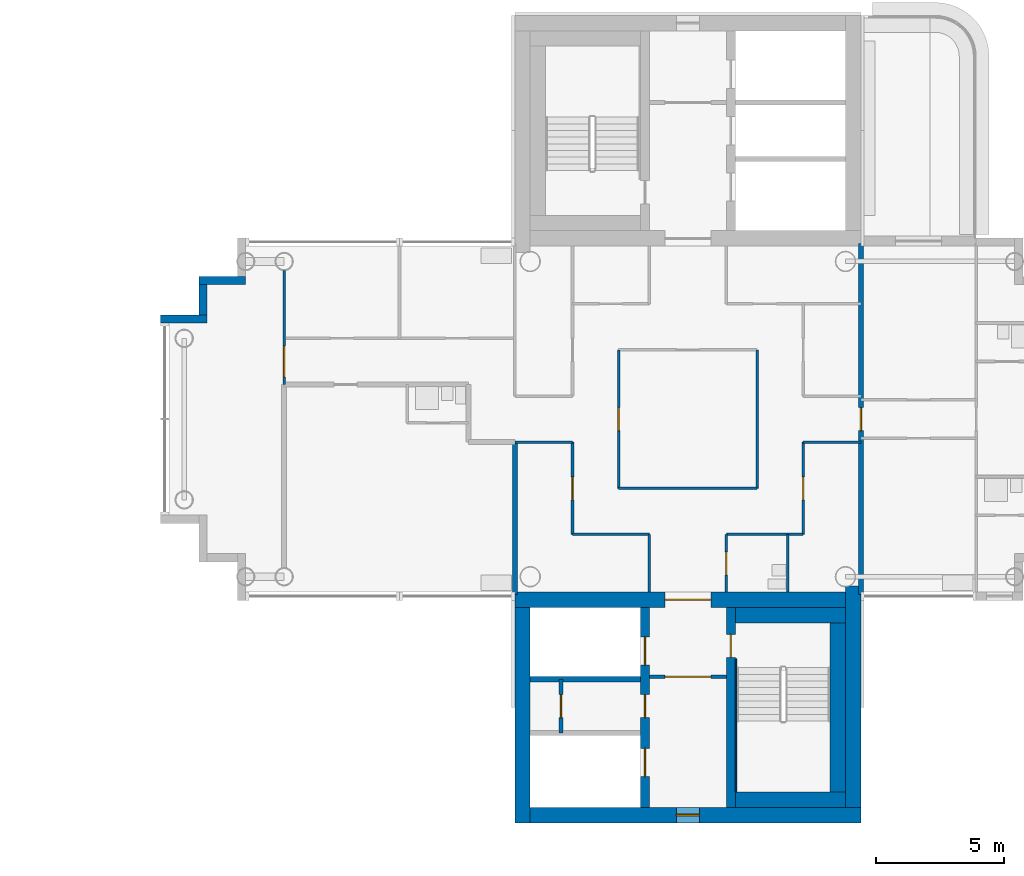
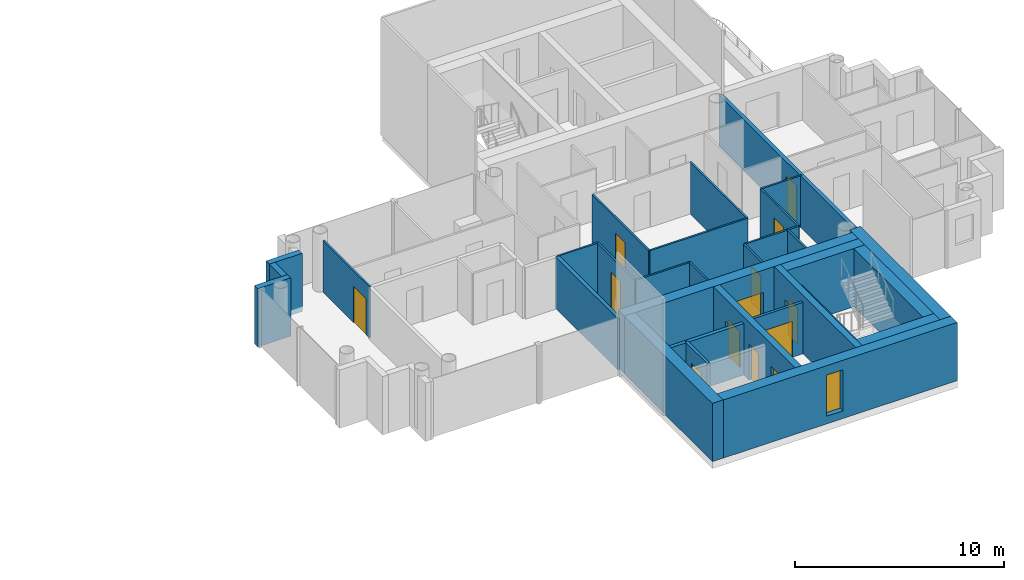
# One storey, part 9 of 18: 31 walls, 13 doors, 1 window, 14 openings.
"""IFC4 building model written with IfcOpenShell, lengths in metres."""

from ifc_helpers import new_model, si_unit, direction, frame, frame_2d, origin, place, context, subcontext, project, spatial, rectangle, extrude, material, layer, layer_set, type_object, element, fill, save


model = new_model("IFC4")

# Units and contexts
model_context = context("Model", 3, precision=1e-05, world=origin(), true_north=direction((0.0, 1.0)))
body_context = subcontext(model_context, "Body", "Model", "MODEL_VIEW")
ifc_project = project(units=[si_unit("LENGTHUNIT", "METRE"), si_unit("AREAUNIT", "SQUARE_METRE"), si_unit("VOLUMEUNIT", "CUBIC_METRE"), si_unit("PLANEANGLEUNIT", "RADIAN"), si_unit("MASSUNIT", "GRAM", prefix="KILO")], contexts=[model_context])

# Site, building, storey
site_placement = place(None, origin())
site = spatial("IfcSite", under=ifc_project, at=site_placement, CompositionType="ELEMENT")
building_placement = place(site_placement, origin())
building = spatial("IfcBuilding", under=site, at=building_placement, Name="Ipe Terrace Towers", CompositionType="ELEMENT")
storey_placement = place(building_placement, frame((0.0, 0.0, 192.60009765625)))
storey = spatial("IfcBuildingStorey", under=building, at=storey_placement, Name="L53", CompositionType="ELEMENT", Elevation=192.60009765625)

# Walls
ifc_material_1 = material(Name="Concrete C40/50 with buff precast cladding", Category="concrete")
ifc_layer_1 = layer(ifc_material_1, 0.320068359375)
ifc_layer_set_1 = layer_set([ifc_layer_1], Name="BUFF CLADDING WALL 320")
wall_type_1 = type_object("IfcWallType", Name="BUFF CLADDING WALL 320", PredefinedType="STANDARD", material=ifc_layer_set_1)
wall_1_placement = place(storey_placement, frame((18.75, 5.409912109375, -0.300048828125), z_axis=(0.0, 0.0, 1.0), x_axis=(-1.0, 0.0, 0.0)))
element("IfcWall", 1, at=wall_1_placement, inside=storey, type_object=wall_type_1, Name="T2-W-L53-23a wall", PredefinedType="STANDARD", context=body_context, shape_type="SweptSolid", body=[
    extrude(rectangle(XDim=1.820068359375, YDim=0.320068359375, at=frame_2d((0.91015625, 0.0))), origin(), (0.0, 0.0, 1.0), 3.39990234375),
])
wall_2_placement = place(storey_placement, frame((17.090087890625, 5.25, -0.300048828125), z_axis=(0.0, 0.0, 1.0), x_axis=(0.0, -1.0, 0.0)))
element("IfcWall", 2, at=wall_2_placement, inside=storey, type_object=wall_type_1, Name="T2-W-L53-24a wall", PredefinedType="STANDARD", context=body_context, shape_type="SweptSolid", body=[
    extrude(rectangle(XDim=1.179931640625, YDim=0.320068359375, at=frame_2d((0.58984375, 0.0))), origin(), (0.0, 0.0, 1.0), 3.39990234375),
])
wall_3_placement = place(storey_placement, frame((17.25, 3.909912109375, -0.300048828125), z_axis=(0.0, 0.0, 1.0), x_axis=(-1.0, 0.0, 0.0)))
element("IfcWall", 3, at=wall_3_placement, inside=storey, type_object=wall_type_1, Name="T2-W-L53-25a wall", PredefinedType="STANDARD", context=body_context, shape_type="SweptSolid", body=[
    extrude(rectangle(XDim=1.820068359375, YDim=0.320068359375, at=frame_2d((0.91015625, 0.0))), origin(), (0.0, 0.0, 1.0), 3.39990234375),
])
ifc_material_2 = material(Name="Gypsum board partition", Category="plasterboard")
ifc_layer_2 = layer(ifc_material_2, 0.10009765625)
ifc_layer_set_2 = layer_set([ifc_layer_2], Name="Gypsum board partition 100 mm")
wall_type_2 = type_object("IfcWallType", Name="Gypsum board partition 100 mm", PredefinedType="PARTITIONING", material=ifc_layer_set_2)
for number, where, z_axis, x_axis, name in (
    (4, (40.5, -4.5, 0.0), (0.0, 0.0, 1.0), (-1.0, 0.0, 0.0), "Gypsum board partition T2 L53 W01"),
    (5, (34.5, -4.5, 0.0), (0.0, 0.0, 1.0), (-1.0, 0.0, 0.0), "Gypsum board partition T2 L53 W02"),
):
    element("IfcWall", number, at=place(storey_placement, frame(where, z_axis=z_axis, x_axis=x_axis)), inside=storey, type_object=wall_type_2, Name=name, PredefinedType="PARTITIONING", context=body_context, shape_type="SweptSolid", body=[
        extrude(rectangle(XDim=3.0, YDim=0.10009765625, at=frame_2d((1.5, 0.0))), origin(), (0.0, 0.0, 1.0), 3.0),
    ])
wall_4_placement = place(storey_placement, frame((38.699951171875, -2.699951171875, 0.0), z_axis=(0.0, 0.0, 1.0), x_axis=(-1.0, 0.0, 0.0)))
element("IfcWall", 6, at=wall_4_placement, inside=storey, type_object=wall_type_2, Name="Gypsum board partition T2 L53 W04", PredefinedType="PARTITIONING", context=body_context, shape_type="SweptSolid", body=[
    extrude(rectangle(XDim=5.39990234375, YDim=0.10009765625, at=frame_2d((2.699951171875, 0.0))), origin(), (0.0, 0.0, 1.0), 3.0),
])
for number, where, z_axis, x_axis, name in (
    (7, (42.75, -0.89990234375, 0.0), (0.0, 0.0, 1.0), (-1.0, 0.0, 0.0), "Gypsum board partition T2 L53 W06"),
    (8, (31.5, -0.89990234375, 0.0), (0.0, 0.0, 1.0), (-1.0, 0.0, 0.0), "Gypsum board partition T2 L53 W07"),
):
    element("IfcWall", number, at=place(storey_placement, frame(where, z_axis=z_axis, x_axis=x_axis)), inside=storey, type_object=wall_type_2, Name=name, PredefinedType="PARTITIONING", context=body_context, shape_type="SweptSolid", body=[
        extrude(rectangle(XDim=2.25, YDim=0.10009765625, at=frame_2d((1.125, 0.0))), origin(), (0.0, 0.0, 1.0), 3.0),
    ])

# Wall, opening, door
wall_5_placement = place(storey_placement, frame((40.5, -4.5, 0.0), z_axis=(0.0, 0.0, 1.0), x_axis=(0.0, 1.0, 0.0)))
wall_5 = element("IfcWall", 9, at=wall_5_placement, inside=storey, type_object=wall_type_2, Name="Gypsum board partition T2 L53 W25", PredefinedType="PARTITIONING", context=body_context, shape_type="SweptSolid", body=[
    extrude(rectangle(XDim=3.60009765625, YDim=0.10009765625, at=frame_2d((1.800048828125, 0.0))), origin(), (0.0, 0.0, 1.0), 3.0),
])
opening_1_placement = place(wall_5_placement, frame((1.35009765625, 0.0, 0.0)))
opening_1 = element("IfcOpeningElement", 10, at=opening_1_placement, cuts=wall_5, Name="Opening T2-Z4C-07", PredefinedType="OPENING", context=body_context, shape_type="SweptSolid", body=[
    extrude(rectangle(XDim=0.89990234375, YDim=2.10009765625, at=frame_2d((0.449951171875, 1.050048828125))), frame((0.0, 0.06005859375, 0.0), z_axis=(0.0, -1.0, 0.0), x_axis=(1.0, 0.0, 0.0)), (0.0, 0.0, 1.0), 0.1201171875),
])
ifc_material_3 = material(Name="Timber door leaf", Category="wood")
door_type_1 = type_object("IfcDoorType", Name="Lounge door 900 x 2100", OperationType="NOTDEFINED", PredefinedType="DOOR", material=ifc_material_3)
door_1_placement = place(opening_1_placement, origin())
door_1 = element("IfcDoor", 11, at=door_1_placement, inside=storey, type_object=door_type_1, Name="Lounge door T2-Z4C-07", OperationType="SINGLE_SWING_LEFT", OverallHeight=2.10009765625, OverallWidth=0.89990234375, PredefinedType="DOOR", context=body_context, shape_type="SweptSolid", body=[
    extrude(rectangle(XDim=0.89990234375, YDim=2.10009765625, at=frame_2d((0.449951171875, 1.050048828125))), frame((0.0, 0.02490234375, 0.0), z_axis=(0.0, -1.0, 0.0), x_axis=(1.0, 0.0, 0.0)), (0.0, 0.0, 1.0), 0.050048828125),
])
fill(opening_1, door_1)

# Walls
wall_6_placement = place(storey_placement, frame((39.89990234375, -6.75, 0.0), z_axis=(0.0, 0.0, 1.0), x_axis=(0.0, 1.0, 0.0)))
element("IfcWall", 12, at=wall_6_placement, inside=storey, type_object=wall_type_2, Name="Gypsum board partition T2 L53 W27", PredefinedType="PARTITIONING", context=body_context, shape_type="SweptSolid", body=[
    extrude(rectangle(XDim=2.25, YDim=0.10009765625, at=frame_2d((1.125, 0.0))), origin(), (0.0, 0.0, 1.0), 3.0),
])
wall_7_placement = place(storey_placement, frame((38.699951171875, -2.699951171875, 0.0), z_axis=(0.0, 0.0, 1.0), x_axis=(0.0, 1.0, 0.0)))
element("IfcWall", 13, at=wall_7_placement, inside=storey, type_object=wall_type_2, Name="Gypsum board partition T2 L53 W28", PredefinedType="PARTITIONING", context=body_context, shape_type="SweptSolid", body=[
    extrude(rectangle(XDim=5.39990234375, YDim=0.10009765625, at=frame_2d((2.699951171875, 0.0))), origin(), (0.0, 0.0, 1.0), 3.0),
])

# Wall, opening, door
wall_8_placement = place(storey_placement, frame((37.5, -6.75, 0.0), z_axis=(0.0, 0.0, 1.0), x_axis=(0.0, 1.0, 0.0)))
wall_8 = element("IfcWall", 14, at=wall_8_placement, inside=storey, type_object=wall_type_2, Name="Gypsum board partition T2 L53 W29", PredefinedType="PARTITIONING", context=body_context, shape_type="SweptSolid", body=[
    extrude(rectangle(XDim=2.25, YDim=0.10009765625, at=frame_2d((1.125, 0.0))), origin(), (0.0, 0.0, 1.0), 3.0),
])
opening_2_placement = place(wall_8_placement, frame((0.675048828125, 0.0, 0.0)))
opening_2 = element("IfcOpeningElement", 15, at=opening_2_placement, cuts=wall_8, Name="Opening T2-Z4C-03", PredefinedType="OPENING", context=body_context, shape_type="SweptSolid", body=[
    extrude(rectangle(XDim=0.89990234375, YDim=2.10009765625, at=frame_2d((0.449951171875, 1.050048828125))), frame((0.0, 0.06005859375, 0.0), z_axis=(0.0, -1.0, 0.0), x_axis=(1.0, 0.0, 0.0)), (0.0, 0.0, 1.0), 0.1201171875),
])
ifc_material_4 = material(Name="Timber door leaf", Category="wood")
door_type_2 = type_object("IfcDoorType", Name="Bathroom door 900 x 2100", OperationType="NOTDEFINED", PredefinedType="DOOR", material=ifc_material_4)
door_2_placement = place(opening_2_placement, origin())
door_2 = element("IfcDoor", 16, at=door_2_placement, inside=storey, type_object=door_type_2, Name="Bathroom door T2-Z4C-03", OperationType="SINGLE_SWING_RIGHT", OverallHeight=2.10009765625, OverallWidth=0.89990234375, PredefinedType="DOOR", context=body_context, shape_type="SweptSolid", body=[
    extrude(rectangle(XDim=0.89990234375, YDim=2.10009765625, at=frame_2d((0.449951171875, 1.050048828125))), frame((0.0, 0.02490234375, 0.0), z_axis=(0.0, -1.0, 0.0), x_axis=(1.0, 0.0, 0.0)), (0.0, 0.0, 1.0), 0.050048828125),
])
fill(opening_2, door_2)

# Wall
wall_9_placement = place(storey_placement, frame((34.5, -6.75, 0.0), z_axis=(0.0, 0.0, 1.0), x_axis=(0.0, 1.0, 0.0)))
element("IfcWall", 17, at=wall_9_placement, inside=storey, type_object=wall_type_2, Name="Gypsum board partition T2 L53 W31", PredefinedType="PARTITIONING", context=body_context, shape_type="SweptSolid", body=[
    extrude(rectangle(XDim=2.25, YDim=0.10009765625, at=frame_2d((1.125, 0.0))), origin(), (0.0, 0.0, 1.0), 3.0),
])

# Wall, opening, door
wall_10_placement = place(storey_placement, frame((33.300048828125, -2.699951171875, 0.0), z_axis=(0.0, 0.0, 1.0), x_axis=(0.0, 1.0, 0.0)))
wall_10 = element("IfcWall", 18, at=wall_10_placement, inside=storey, type_object=wall_type_2, Name="Gypsum board partition T2 L53 W33", PredefinedType="PARTITIONING", context=body_context, shape_type="SweptSolid", body=[
    extrude(rectangle(XDim=5.39990234375, YDim=0.10009765625, at=frame_2d((2.699951171875, 0.0))), origin(), (0.0, 0.0, 1.0), 3.0),
])
opening_3_placement = place(wall_10_placement, frame((2.25, 0.0, 0.0)))
opening_3 = element("IfcOpeningElement", 19, at=opening_3_placement, cuts=wall_10, Name="Opening T2-Z4C-01", PredefinedType="OPENING", context=body_context, shape_type="SweptSolid", body=[
    extrude(rectangle(XDim=0.89990234375, YDim=2.10009765625, at=frame_2d((0.449951171875, 1.050048828125))), frame((0.0, 0.06005859375, 0.0), z_axis=(0.0, -1.0, 0.0), x_axis=(1.0, 0.0, 0.0)), (0.0, 0.0, 1.0), 0.1201171875),
])
door_3_placement = place(opening_3_placement, origin())
door_3 = element("IfcDoor", 20, at=door_3_placement, inside=storey, type_object=door_type_1, Name="Lounge door T2-Z4C-01", OperationType="SINGLE_SWING_RIGHT", OverallHeight=2.10009765625, OverallWidth=0.89990234375, PredefinedType="DOOR", context=body_context, shape_type="SweptSolid", body=[
    extrude(rectangle(XDim=0.89990234375, YDim=2.10009765625, at=frame_2d((0.449951171875, 1.050048828125))), frame((0.0, 0.02490234375, 0.0), z_axis=(0.0, -1.0, 0.0), x_axis=(1.0, 0.0, 0.0)), (0.0, 0.0, 1.0), 0.050048828125),
])
fill(opening_3, door_3)

wall_11_placement = place(storey_placement, frame((31.5, -4.5, 0.0), z_axis=(0.0, 0.0, 1.0), x_axis=(0.0, 1.0, 0.0)))
wall_11 = element("IfcWall", 21, at=wall_11_placement, inside=storey, type_object=wall_type_2, Name="Gypsum board partition T2 L53 W34", PredefinedType="PARTITIONING", context=body_context, shape_type="SweptSolid", body=[
    extrude(rectangle(XDim=3.60009765625, YDim=0.10009765625, at=frame_2d((1.800048828125, 0.0))), origin(), (0.0, 0.0, 1.0), 3.0),
])
opening_4_placement = place(wall_11_placement, frame((1.35009765625, 0.0, 0.0)))
opening_4 = element("IfcOpeningElement", 22, at=opening_4_placement, cuts=wall_11, Name="Opening T2-Z4C-06", PredefinedType="OPENING", context=body_context, shape_type="SweptSolid", body=[
    extrude(rectangle(XDim=0.89990234375, YDim=2.10009765625, at=frame_2d((0.449951171875, 1.050048828125))), frame((0.0, 0.06005859375, 0.0), z_axis=(0.0, -1.0, 0.0), x_axis=(1.0, 0.0, 0.0)), (0.0, 0.0, 1.0), 0.1201171875),
])
door_4_placement = place(opening_4_placement, origin())
door_4 = element("IfcDoor", 23, at=door_4_placement, inside=storey, type_object=door_type_1, Name="Lounge door T2-Z4C-06", OperationType="SINGLE_SWING_LEFT", OverallHeight=2.10009765625, OverallWidth=0.89990234375, PredefinedType="DOOR", context=body_context, shape_type="SweptSolid", body=[
    extrude(rectangle(XDim=0.89990234375, YDim=2.10009765625, at=frame_2d((0.449951171875, 1.050048828125))), frame((0.0, 0.02490234375, 0.0), z_axis=(0.0, -1.0, 0.0), x_axis=(1.0, 0.0, 0.0)), (0.0, 0.0, 1.0), 0.050048828125),
])
fill(opening_4, door_4)

wall_12_placement = place(storey_placement, frame((20.25, 1.35009765625, 0.0), z_axis=(0.0, 0.0, 1.0), x_axis=(0.0, 1.0, 0.0)))
wall_12 = element("IfcWall", 24, at=wall_12_placement, inside=storey, type_object=wall_type_2, Name="Gypsum board partition T2 L53 W41", PredefinedType="PARTITIONING", context=body_context, shape_type="SweptSolid", body=[
    extrude(rectangle(XDim=4.449951171875, YDim=0.10009765625, at=frame_2d((2.22509765625, 0.0))), origin(), (0.0, 0.0, 1.0), 3.0),
])
opening_5_placement = place(wall_12_placement, frame((0.300048828125, 0.0, 0.0)))
opening_5 = element("IfcOpeningElement", 25, at=opening_5_placement, cuts=wall_12, Name="Opening T2-Z4C-14", PredefinedType="OPENING", context=body_context, shape_type="SweptSolid", body=[
    extrude(rectangle(XDim=1.199951171875, YDim=2.10009765625, at=frame_2d((0.60009765625, 1.050048828125))), frame((0.0, 0.06005859375, 0.0), z_axis=(0.0, -1.0, 0.0), x_axis=(1.0, 0.0, 0.0)), (0.0, 0.0, 1.0), 0.1201171875),
])
ifc_material_5 = material(Name="Timber door leaf", Category="wood")
door_type_3 = type_object("IfcDoorType", Name="Lounge door 1200 x 2100", OperationType="NOTDEFINED", PredefinedType="DOOR", material=ifc_material_5)
door_5_placement = place(opening_5_placement, origin())
door_5 = element("IfcDoor", 26, at=door_5_placement, inside=storey, type_object=door_type_3, Name="Lounge door T2-Z4C-14", OperationType="SINGLE_SWING_RIGHT", OverallHeight=2.10009765625, OverallWidth=1.199951171875, PredefinedType="DOOR", context=body_context, shape_type="SweptSolid", body=[
    extrude(rectangle(XDim=1.199951171875, YDim=2.10009765625, at=frame_2d((0.60009765625, 1.050048828125))), frame((0.0, 0.02490234375, 0.0), z_axis=(0.0, -1.0, 0.0), x_axis=(1.0, 0.0, 0.0)), (0.0, 0.0, 1.0), 0.050048828125),
])
fill(opening_5, door_5)

ifc_material_6 = material(Name="Gypsum board partition", Category="plasterboard")
ifc_layer_3 = layer(ifc_material_6, 0.14990234375)
ifc_layer_set_3 = layer_set([ifc_layer_3], Name="Gypsum board partition 150 mm")
wall_type_3 = type_object("IfcWallType", Name="Gypsum board partition 150 mm", PredefinedType="PARTITIONING", material=ifc_layer_set_3)
wall_13_placement = place(storey_placement, frame((34.5, -10.050048828125, 0.0), z_axis=(0.0, 0.0, 1.0), x_axis=(1.0, 0.0, 0.0)))
wall_13 = element("IfcWall", 27, at=wall_13_placement, inside=storey, type_object=wall_type_3, Name="Gypsum board partition T2 L53 t2c2-lobby-wall", PredefinedType="PARTITIONING", context=body_context, shape_type="SweptSolid", body=[
    extrude(rectangle(XDim=3.0, YDim=0.14990234375, at=frame_2d((1.5, 0.0))), origin(), (0.0, 0.0, 1.0), 3.0),
])
opening_6_placement = place(wall_13_placement, frame((0.60009765625, 0.0, 0.0)))
opening_6 = element("IfcOpeningElement", 28, at=opening_6_placement, cuts=wall_13, Name="Opening T2C2-VD", PredefinedType="OPENING", context=body_context, shape_type="SweptSolid", body=[
    extrude(rectangle(XDim=1.800048828125, YDim=2.10009765625, at=frame_2d((0.89990234375, 1.050048828125))), frame((0.0, 0.0849609375, 0.0), z_axis=(0.0, -1.0, 0.0), x_axis=(1.0, 0.0, 0.0)), (0.0, 0.0, 1.0), 0.169921875),
])
ifc_material_7 = material(Name="Fire-rated timber door leaf", Category="wood")
door_type_4 = type_object("IfcDoorType", Name="Lobby door 1800 x 2100 FD60", OperationType="NOTDEFINED", PredefinedType="DOOR", material=ifc_material_7)
door_6_placement = place(opening_6_placement, origin())
door_6 = element("IfcDoor", 29, at=door_6_placement, inside=storey, type_object=door_type_4, Name="Lobby door T2C2-VD", OperationType="SINGLE_SWING_LEFT", OverallHeight=2.10009765625, OverallWidth=1.800048828125, PredefinedType="DOOR", context=body_context, shape_type="SweptSolid", body=[
    extrude(rectangle(XDim=1.800048828125, YDim=2.10009765625, at=frame_2d((0.89990234375, 1.050048828125))), frame((0.0, 0.02490234375, 0.0), z_axis=(0.0, -1.0, 0.0), x_axis=(1.0, 0.0, 0.0)), (0.0, 0.0, 1.0), 0.050048828125),
])
fill(opening_6, door_6)

wall_14_placement = place(storey_placement, frame((31.050048828125, -10.14990234375, 0.0), z_axis=(0.0, 0.0, 1.0), x_axis=(0.0, -1.0, 0.0)))
wall_14 = element("IfcWall", 30, at=wall_14_placement, inside=storey, type_object=wall_type_3, Name="Gypsum board partition T2 L53 t2c2-q-back", PredefinedType="PARTITIONING", context=body_context, shape_type="SweptSolid", body=[
    extrude(rectangle(XDim=2.10009765625, YDim=0.14990234375, at=frame_2d((1.050048828125, 0.0))), origin(), (0.0, 0.0, 1.0), 3.0),
])
opening_7_placement = place(wall_14_placement, frame((0.60009765625, 0.0, 0.0)))
opening_7 = element("IfcOpeningElement", 31, at=opening_7_placement, cuts=wall_14, Name="Opening T2C2-RB", PredefinedType="OPENING", context=body_context, shape_type="SweptSolid", body=[
    extrude(rectangle(XDim=0.89990234375, YDim=2.10009765625, at=frame_2d((0.449951171875, 1.050048828125))), frame((0.0, 0.0849609375, 0.0), z_axis=(0.0, -1.0, 0.0), x_axis=(1.0, 0.0, 0.0)), (0.0, 0.0, 1.0), 0.169921875),
])
ifc_material_8 = material(Name="Fire-rated timber door leaf", Category="wood")
door_type_5 = type_object("IfcDoorType", Name="Service door 900 x 2100 FD60", OperationType="NOTDEFINED", PredefinedType="DOOR", material=ifc_material_8)
door_7_placement = place(opening_7_placement, origin())
door_7 = element("IfcDoor", 32, at=door_7_placement, inside=storey, type_object=door_type_5, Name="Service door T2C2-RB", OperationType="SINGLE_SWING_LEFT", OverallHeight=2.10009765625, OverallWidth=0.89990234375, PredefinedType="DOOR", context=body_context, shape_type="SweptSolid", body=[
    extrude(rectangle(XDim=0.89990234375, YDim=2.10009765625, at=frame_2d((0.449951171875, 1.050048828125))), frame((0.0, 0.02490234375, 0.0), z_axis=(0.0, -1.0, 0.0), x_axis=(1.0, 0.0, 0.0)), (0.0, 0.0, 1.0), 0.050048828125),
])
fill(opening_7, door_7)

# Wall
ifc_material_9 = material(Name="Gypsum board party wall", Category="plasterboard")
ifc_layer_4 = layer(ifc_material_9, 0.199951171875)
ifc_layer_set_4 = layer_set([ifc_layer_4], Name="Gypsum board party wall 200 mm")
wall_type_4 = type_object("IfcWallType", Name="Gypsum board party wall 200 mm", PredefinedType="SOLIDWALL", material=ifc_layer_set_4)
wall_15_placement = place(storey_placement, frame((29.85009765625, -10.14990234375, 0.0), z_axis=(0.0, 0.0, 1.0), x_axis=(1.0, 0.0, 0.0)))
element("IfcWall", 33, at=wall_15_placement, inside=storey, type_object=wall_type_4, Name="Gypsum board party wall T2 L53 t2c2-shaft-div1", PredefinedType="SOLIDWALL", context=body_context, shape_type="SweptSolid", body=[
    extrude(rectangle(XDim=4.2998046875, YDim=0.199951171875, at=frame_2d((2.14990234375, 0.0))), origin(), (0.0, 0.0, 1.0), 3.0),
])

# Wall, opening, door
wall_16_placement = place(storey_placement, frame((42.75, -6.85009765625, 0.0), z_axis=(0.0, 0.0, 1.0), x_axis=(0.0, 1.0, 0.0)))
wall_16 = element("IfcWall", 34, at=wall_16_placement, inside=storey, type_object=wall_type_4, Name="Gypsum board party wall T2 L53 W24", PredefinedType="SOLIDWALL", context=body_context, shape_type="SweptSolid", body=[
    extrude(rectangle(XDim=13.7001953125, YDim=0.199951171875, at=frame_2d((6.85009765625, 0.0))), origin(), (0.0, 0.0, 1.0), 3.0),
])
opening_8_placement = place(wall_16_placement, frame((6.39990234375, 0.0, 0.0)))
opening_8 = element("IfcOpeningElement", 35, at=opening_8_placement, cuts=wall_16, Name="Opening T2-Z4C-17", PredefinedType="OPENING", context=body_context, shape_type="SweptSolid", body=[
    extrude(rectangle(XDim=0.89990234375, YDim=2.10009765625, at=frame_2d((0.449951171875, 1.050048828125))), frame((0.0, 0.10986328125, 0.0), z_axis=(0.0, -1.0, 0.0), x_axis=(1.0, 0.0, 0.0)), (0.0, 0.0, 1.0), 0.219970703125),
])
ifc_material_10 = material(Name="Fire-rated timber door leaf", Category="wood")
door_type_6 = type_object("IfcDoorType", Name="Flat entrance door 900 x 2100 FD30S", OperationType="NOTDEFINED", PredefinedType="DOOR", material=ifc_material_10)
door_8_placement = place(opening_8_placement, origin())
door_8 = element("IfcDoor", 36, at=door_8_placement, inside=storey, type_object=door_type_6, Name="Flat entrance door T2-Z4C-17", OperationType="SINGLE_SWING_RIGHT", OverallHeight=2.10009765625, OverallWidth=0.89990234375, PredefinedType="DOOR", context=body_context, shape_type="SweptSolid", body=[
    extrude(rectangle(XDim=0.89990234375, YDim=2.10009765625, at=frame_2d((0.449951171875, 1.050048828125))), frame((0.0, 0.02490234375, 0.0), z_axis=(0.0, -1.0, 0.0), x_axis=(1.0, 0.0, 0.0)), (0.0, 0.0, 1.0), 0.050048828125),
])
fill(opening_8, door_8)

# Wall
wall_17_placement = place(storey_placement, frame((29.25, -6.85009765625, 0.0), z_axis=(0.0, 0.0, 1.0), x_axis=(0.0, 1.0, 0.0)))
element("IfcWall", 37, at=wall_17_placement, inside=storey, type_object=wall_type_4, Name="Gypsum board party wall T2 L53 W37", PredefinedType="SOLIDWALL", context=body_context, shape_type="SweptSolid", body=[
    extrude(rectangle(XDim=5.9501953125, YDim=0.199951171875, at=frame_2d((2.97509765625, 0.0))), origin(), (0.0, 0.0, 1.0), 3.0),
])

# Wall, openings, doors
ifc_material_11 = material(Name="Concrete C40/50", Category="concrete")
ifc_layer_5 = layer(ifc_material_11, 0.35009765625)
ifc_layer_set_5 = layer_set([ifc_layer_5], Name="RW350 CORE SPINE WALL 350 C40-50")
wall_type_5 = type_object("IfcWallType", Name="RW350 CORE SPINE WALL 350 C40-50", PredefinedType="SHEAR", material=ifc_layer_set_5)
wall_18_placement = place(storey_placement, frame((34.324951171875, -15.14990234375, 0.0), z_axis=(0.0, 0.0, 1.0), x_axis=(0.0, 1.0, 0.0)))
wall_18 = element("IfcWall", 38, at=wall_18_placement, inside=storey, type_object=wall_type_5, Name="Core spine wall T2-C2-Z4-SW1", PredefinedType="SHEAR", context=body_context, shape_type="SweptSolid", body=[
    extrude(rectangle(XDim=7.7998046875, YDim=0.35009765625, at=frame_2d((3.89990234375, 0.0))), origin(), (0.0, 0.0, 1.0), 3.39990234375),
])
opening_9_placement = place(wall_18_placement, frame((5.550048828125, 0.0, 0.0)))
opening_9 = element("IfcOpeningElement", 39, at=opening_9_placement, cuts=wall_18, Name="Opening T2C2-LD1", PredefinedType="OPENING", context=body_context, shape_type="SweptSolid", body=[
    extrude(rectangle(XDim=1.10009765625, YDim=2.10009765625, at=frame_2d((0.550048828125, 1.050048828125))), frame((0.0, 0.18505859375, 0.0), z_axis=(0.0, -1.0, 0.0), x_axis=(1.0, 0.0, 0.0)), (0.0, 0.0, 1.0), 0.3701171875),
])
opening_10_placement = place(wall_18_placement, frame((1.199951171875, 0.0, 0.0)))
opening_10 = element("IfcOpeningElement", 40, at=opening_10_placement, cuts=wall_18, Name="Opening T2C2-LD3", PredefinedType="OPENING", context=body_context, shape_type="SweptSolid", body=[
    extrude(rectangle(XDim=1.10009765625, YDim=2.10009765625, at=frame_2d((0.550048828125, 1.050048828125))), frame((0.0, 0.18505859375, 0.0), z_axis=(0.0, -1.0, 0.0), x_axis=(1.0, 0.0, 0.0)), (0.0, 0.0, 1.0), 0.3701171875),
])
opening_11_placement = place(wall_18_placement, frame((3.5, 0.0, 0.0)))
opening_11 = element("IfcOpeningElement", 41, at=opening_11_placement, cuts=wall_18, Name="Opening T2C2-R1", PredefinedType="OPENING", context=body_context, shape_type="SweptSolid", body=[
    extrude(rectangle(XDim=0.89990234375, YDim=2.10009765625, at=frame_2d((0.449951171875, 1.050048828125))), frame((0.0, 0.18505859375, 0.0), z_axis=(0.0, -1.0, 0.0), x_axis=(1.0, 0.0, 0.0)), (0.0, 0.0, 1.0), 0.3701171875),
])
ifc_material_12 = material(Name="Fire-rated timber door leaf", Category="wood")
door_type_7 = type_object("IfcDoorType", Name="Sliding door 1100 x 2100 FD60", OperationType="SLIDING_TO_LEFT", PredefinedType="DOOR", material=ifc_material_12)
door_9_placement = place(opening_9_placement, origin())
door_9 = element("IfcDoor", 42, at=door_9_placement, inside=storey, type_object=door_type_7, Name="Sliding door T2C2-LD1", OperationType="SLIDING_TO_LEFT", OverallHeight=2.10009765625, OverallWidth=1.10009765625, PredefinedType="DOOR", context=body_context, shape_type="SweptSolid", body=[
    extrude(rectangle(XDim=1.10009765625, YDim=2.10009765625, at=frame_2d((0.550048828125, 1.050048828125))), frame((0.0, 0.02490234375, 0.0), z_axis=(0.0, -1.0, 0.0), x_axis=(1.0, 0.0, 0.0)), (0.0, 0.0, 1.0), 0.050048828125),
])
fill(opening_9, door_9)
door_10_placement = place(opening_10_placement, origin())
door_10 = element("IfcDoor", 43, at=door_10_placement, inside=storey, type_object=door_type_7, Name="Sliding door T2C2-LD3", OperationType="SLIDING_TO_LEFT", OverallHeight=2.10009765625, OverallWidth=1.10009765625, PredefinedType="DOOR", context=body_context, shape_type="SweptSolid", body=[
    extrude(rectangle(XDim=1.10009765625, YDim=2.10009765625, at=frame_2d((0.550048828125, 1.050048828125))), frame((0.0, 0.02490234375, 0.0), z_axis=(0.0, -1.0, 0.0), x_axis=(1.0, 0.0, 0.0)), (0.0, 0.0, 1.0), 0.050048828125),
])
fill(opening_10, door_10)
ifc_material_13 = material(Name="Timber door leaf", Category="wood")
door_type_8 = type_object("IfcDoorType", Name="Store door 900 x 2100", OperationType="NOTDEFINED", PredefinedType="DOOR", material=ifc_material_13)
door_11_placement = place(opening_11_placement, origin())
door_11 = element("IfcDoor", 44, at=door_11_placement, inside=storey, type_object=door_type_8, Name="Store door T2C2-R1", OperationType="SINGLE_SWING_LEFT", OverallHeight=2.10009765625, OverallWidth=0.89990234375, PredefinedType="DOOR", context=body_context, shape_type="SweptSolid", body=[
    extrude(rectangle(XDim=0.89990234375, YDim=2.10009765625, at=frame_2d((0.449951171875, 1.050048828125))), frame((0.0, 0.02490234375, 0.0), z_axis=(0.0, -1.0, 0.0), x_axis=(1.0, 0.0, 0.0)), (0.0, 0.0, 1.0), 0.050048828125),
])
fill(opening_11, door_11)

# Wall, opening, door
wall_19_placement = place(storey_placement, frame((37.675048828125, -15.14990234375, 0.0), z_axis=(0.0, 0.0, 1.0), x_axis=(0.0, 1.0, 0.0)))
wall_19 = element("IfcWall", 45, at=wall_19_placement, inside=storey, type_object=wall_type_5, Name="Core spine wall T2-C2-Z4-SW2", PredefinedType="SHEAR", context=body_context, shape_type="SweptSolid", body=[
    extrude(rectangle(XDim=7.7998046875, YDim=0.35009765625, at=frame_2d((3.89990234375, 0.0))), origin(), (0.0, 0.0, 1.0), 3.39990234375),
])
opening_12_placement = place(wall_19_placement, frame((5.85009765625, 0.0, 0.0)))
opening_12 = element("IfcOpeningElement", 46, at=opening_12_placement, cuts=wall_19, Name="Opening T2C2-SD", PredefinedType="OPENING", context=body_context, shape_type="SweptSolid", body=[
    extrude(rectangle(XDim=0.89990234375, YDim=2.10009765625, at=frame_2d((0.449951171875, 1.050048828125))), frame((0.0, 0.18505859375, 0.0), z_axis=(0.0, -1.0, 0.0), x_axis=(1.0, 0.0, 0.0)), (0.0, 0.0, 1.0), 0.3701171875),
])
ifc_material_14 = material(Name="Fire-rated timber door leaf", Category="wood")
door_type_9 = type_object("IfcDoorType", Name="Stair door 900 x 2100 FD60", OperationType="NOTDEFINED", PredefinedType="DOOR", material=ifc_material_14)
door_12_placement = place(opening_12_placement, origin())
door_12 = element("IfcDoor", 47, at=door_12_placement, inside=storey, type_object=door_type_9, Name="Stair door T2C2-SD", OperationType="SINGLE_SWING_RIGHT", OverallHeight=2.10009765625, OverallWidth=0.89990234375, PredefinedType="DOOR", context=body_context, shape_type="SweptSolid", body=[
    extrude(rectangle(XDim=0.89990234375, YDim=2.10009765625, at=frame_2d((0.449951171875, 1.050048828125))), frame((0.0, 0.02490234375, 0.0), z_axis=(0.0, -1.0, 0.0), x_axis=(1.0, 0.0, 0.0)), (0.0, 0.0, 1.0), 0.050048828125),
])
fill(opening_12, door_12)

# Walls
ifc_material_15 = material(Name="Concrete C40/50", Category="concrete")
ifc_layer_6 = layer(ifc_material_15, 0.050048828125)
ifc_layer_set_6 = layer_set([ifc_layer_6], Name="RW50 CORE INFILL WALL 50 C40-50")
wall_type_6 = type_object("IfcWallType", Name="RW50 CORE INFILL WALL 50 C40-50", PredefinedType="SHEAR", material=ifc_layer_set_6)
wall_20_placement = place(storey_placement, frame((37.875, -9.35009765625, 0.0), z_axis=(0.0, 0.0, 1.0), x_axis=(0.0, -1.0, 0.0)))
element("IfcWall", 48, at=wall_20_placement, inside=storey, type_object=wall_type_6, Name="Core infill wall T2-C2-spine-b", PredefinedType="SHEAR", context=body_context, shape_type="SweptSolid", body=[
    extrude(rectangle(XDim=5.199951171875, YDim=0.050048828125, at=frame_2d((2.60009765625, 0.0))), origin(), (0.0, 0.0, 1.0), 3.39990234375),
])
ifc_material_16 = material(Name="Concrete C40/50", Category="concrete")
ifc_layer_7 = layer(ifc_material_16, 0.60009765625)
ifc_layer_set_7 = layer_set([ifc_layer_7], Name="RW600 CORE INFILL WALL 600 C40-50")
wall_type_7 = type_object("IfcWallType", Name="RW600 CORE INFILL WALL 600 C40-50", PredefinedType="SHEAR", material=ifc_layer_set_7)
wall_21_placement = place(storey_placement, frame((37.85009765625, -14.85009765625, 0.0), z_axis=(0.0, 0.0, 1.0), x_axis=(1.0, 0.0, 0.0)))
element("IfcWall", 49, at=wall_21_placement, inside=storey, type_object=wall_type_7, Name="Core infill wall T2-C2-far", PredefinedType="SHEAR", context=body_context, shape_type="SweptSolid", body=[
    extrude(rectangle(XDim=4.2998046875, YDim=0.60009765625, at=frame_2d((2.14990234375, 0.0))), origin(), (0.0, 0.0, 1.0), 3.39990234375),
])
wall_22_placement = place(storey_placement, frame((41.85009765625, -7.949951171875, 0.0), z_axis=(0.0, 0.0, 1.0), x_axis=(0.0, -1.0, 0.0)))
element("IfcWall", 50, at=wall_22_placement, inside=storey, type_object=wall_type_7, Name="Core infill wall T2-C2-back", PredefinedType="SHEAR", context=body_context, shape_type="SweptSolid", body=[
    extrude(rectangle(XDim=6.60009765625, YDim=0.60009765625, at=frame_2d((3.300048828125, 0.0))), origin(), (0.0, 0.0, 1.0), 3.39990234375),
])
wall_23_placement = place(storey_placement, frame((37.85009765625, -7.64990234375, 0.0), z_axis=(0.0, 0.0, 1.0), x_axis=(1.0, 0.0, 0.0)))
element("IfcWall", 51, at=wall_23_placement, inside=storey, type_object=wall_type_7, Name="Core infill wall T2-C2-near", PredefinedType="SHEAR", context=body_context, shape_type="SweptSolid", body=[
    extrude(rectangle(XDim=4.2998046875, YDim=0.60009765625, at=frame_2d((2.14990234375, 0.0))), origin(), (0.0, 0.0, 1.0), 3.39990234375),
])

# Wall, opening, window
ifc_material_17 = material(Name="Concrete C40/50", Category="concrete")
ifc_layer_8 = layer(ifc_material_17, 0.60009765625)
ifc_layer_set_8 = layer_set([ifc_layer_8], Name="RW600 CORE WALL 600 C40-50")
wall_type_8 = type_object("IfcWallType", Name="RW600 CORE WALL 600 C40-50", PredefinedType="SHEAR", material=ifc_layer_set_8)
wall_24_placement = place(storey_placement, frame((29.85009765625, -15.449951171875, 0.0), z_axis=(0.0, 0.0, 1.0), x_axis=(1.0, 0.0, 0.0)))
wall_24 = element("IfcWall", 52, at=wall_24_placement, inside=storey, type_object=wall_type_8, Name="Core wall T2-C2-Z4-W01", PredefinedType="SHEAR", context=body_context, shape_type="SweptSolid", body=[
    extrude(rectangle(XDim=12.89990234375, YDim=0.60009765625, at=frame_2d((6.449951171875, 0.0))), origin(), (0.0, 0.0, 1.0), 3.39990234375),
])
opening_13_placement = place(wall_24_placement, frame((5.699951171875, 0.0, 0.449951171875)))
opening_13 = element("IfcOpeningElement", 53, at=opening_13_placement, cuts=wall_24, Name="Opening T2-C2-W-01-L53", PredefinedType="OPENING", context=body_context, shape_type="SweptSolid", body=[
    extrude(rectangle(XDim=0.89990234375, YDim=2.39990234375, at=frame_2d((0.449951171875, 1.199951171875))), frame((0.0, 0.31005859375, 0.0), z_axis=(0.0, -1.0, 0.0), x_axis=(1.0, 0.0, 0.0)), (0.0, 0.0, 1.0), 0.6201171875),
])
ifc_material_18 = material(Name="Fire-resistant glazing EI 60", Category="glass")
window_type = type_object("IfcWindowType", Name="CORRIDOR END SLOT WINDOW 900 x 2400 EI 60", PartitioningType="SINGLE_PANEL", PredefinedType="WINDOW", material=ifc_material_18)
window_placement = place(opening_13_placement, origin())
window = element("IfcWindow", 54, at=window_placement, inside=storey, type_object=window_type, Name="W-01 window", OverallHeight=2.39990234375, OverallWidth=0.89990234375, PartitioningType="SINGLE_PANEL", PredefinedType="WINDOW", context=body_context, shape_type="SweptSolid", body=[
    extrude(rectangle(XDim=0.89990234375, YDim=2.39990234375, at=frame_2d((0.449951171875, 1.199951171875))), frame((0.0, 0.030029296875, 0.0), z_axis=(0.0, -1.0, 0.0), x_axis=(1.0, 0.0, 0.0)), (0.0, 0.0, 1.0), 0.06005859375),
])
fill(opening_13, window)

# Wall
wall_25_placement = place(storey_placement, frame((42.449951171875, -15.14990234375, 0.0), z_axis=(0.0, 0.0, 1.0), x_axis=(0.0, 1.0, 0.0)))
element("IfcWall", 55, at=wall_25_placement, inside=storey, type_object=wall_type_8, Name="Core wall T2-C2-Z4-W02", PredefinedType="SHEAR", context=body_context, shape_type="SweptSolid", body=[
    extrude(rectangle(XDim=8.64794921875, YDim=0.60009765625, at=frame_2d((4.323974609375, 0.0))), origin(), (0.0, 0.0, 1.0), 3.39990234375),
])

# Wall, opening, door
wall_26_placement = place(storey_placement, frame((42.14990234375, -7.050048828125, 0.0), z_axis=(0.0, 0.0, 1.0), x_axis=(-1.0, 0.0, 0.0)))
wall_26 = element("IfcWall", 56, at=wall_26_placement, inside=storey, type_object=wall_type_8, Name="Core wall T2-C2-Z4-W03", PredefinedType="SHEAR", context=body_context, shape_type="SweptSolid", body=[
    extrude(rectangle(XDim=12.89990234375, YDim=0.60009765625, at=frame_2d((6.449951171875, 0.0))), origin(), (0.0, 0.0, 1.0), 3.39990234375),
])
opening_14_placement = place(wall_26_placement, frame((5.25, 0.0, 0.0)))
opening_14 = element("IfcOpeningElement", 57, at=opening_14_placement, cuts=wall_26, Name="Opening T2C2-ND", PredefinedType="OPENING", context=body_context, shape_type="SweptSolid", body=[
    extrude(rectangle(XDim=1.800048828125, YDim=2.10009765625, at=frame_2d((0.89990234375, 1.050048828125))), frame((0.0, 0.31005859375, 0.0), z_axis=(0.0, -1.0, 0.0), x_axis=(1.0, 0.0, 0.0)), (0.0, 0.0, 1.0), 0.6201171875),
])
ifc_material_19 = material(Name="Fire-rated timber door leaf", Category="wood")
door_type_10 = type_object("IfcDoorType", Name="Fire door 1800 x 2100 FD30S", OperationType="NOTDEFINED", PredefinedType="DOOR", material=ifc_material_19)
door_13_placement = place(opening_14_placement, origin())
door_13 = element("IfcDoor", 58, at=door_13_placement, inside=storey, type_object=door_type_10, Name="Fire door T2C2-ND", OperationType="SINGLE_SWING_LEFT", OverallHeight=2.10009765625, OverallWidth=1.800048828125, PredefinedType="DOOR", context=body_context, shape_type="SweptSolid", body=[
    extrude(rectangle(XDim=1.800048828125, YDim=2.10009765625, at=frame_2d((0.89990234375, 1.050048828125))), frame((0.0, 0.02490234375, 0.0), z_axis=(0.0, -1.0, 0.0), x_axis=(1.0, 0.0, 0.0)), (0.0, 0.0, 1.0), 0.050048828125),
])
fill(opening_14, door_13)

# Wall
wall_27_placement = place(storey_placement, frame((29.550048828125, -7.35009765625, 0.0), z_axis=(0.0, 0.0, 1.0), x_axis=(0.0, -1.0, 0.0)))
element("IfcWall", 59, at=wall_27_placement, inside=storey, type_object=wall_type_8, Name="Core wall T2-C2-Z4-W04", PredefinedType="SHEAR", context=body_context, shape_type="SweptSolid", body=[
    extrude(rectangle(XDim=8.39990234375, YDim=0.60009765625, at=frame_2d((4.199951171875, 0.0))), origin(), (0.0, 0.0, 1.0), 3.39990234375),
])

save(model, "model.ifc")
